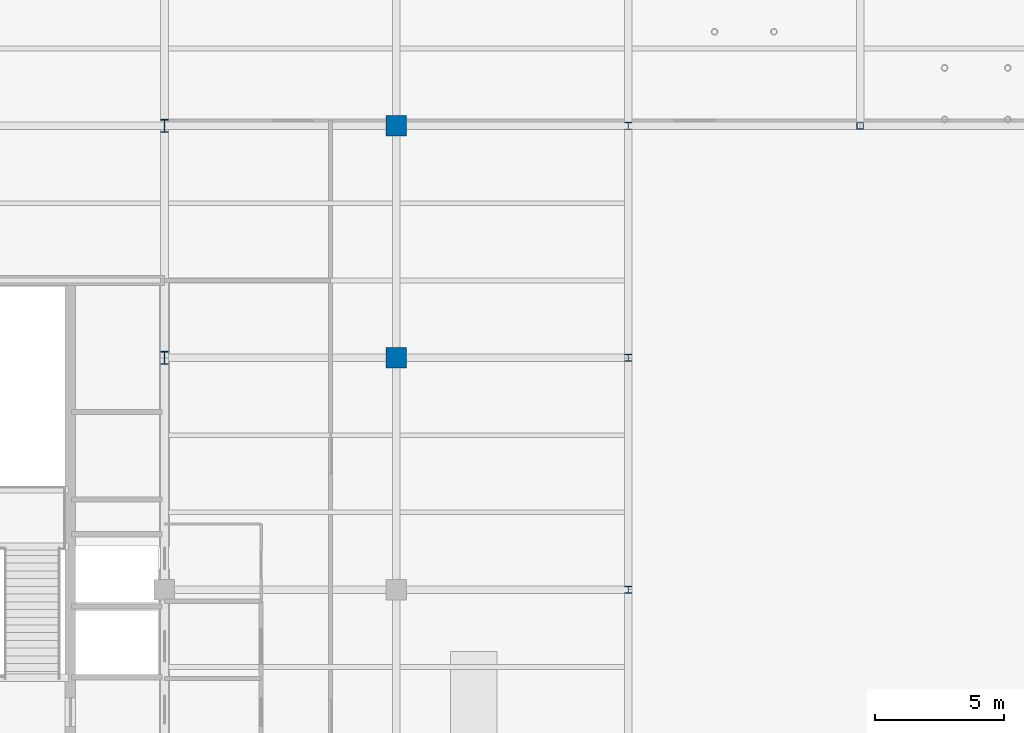
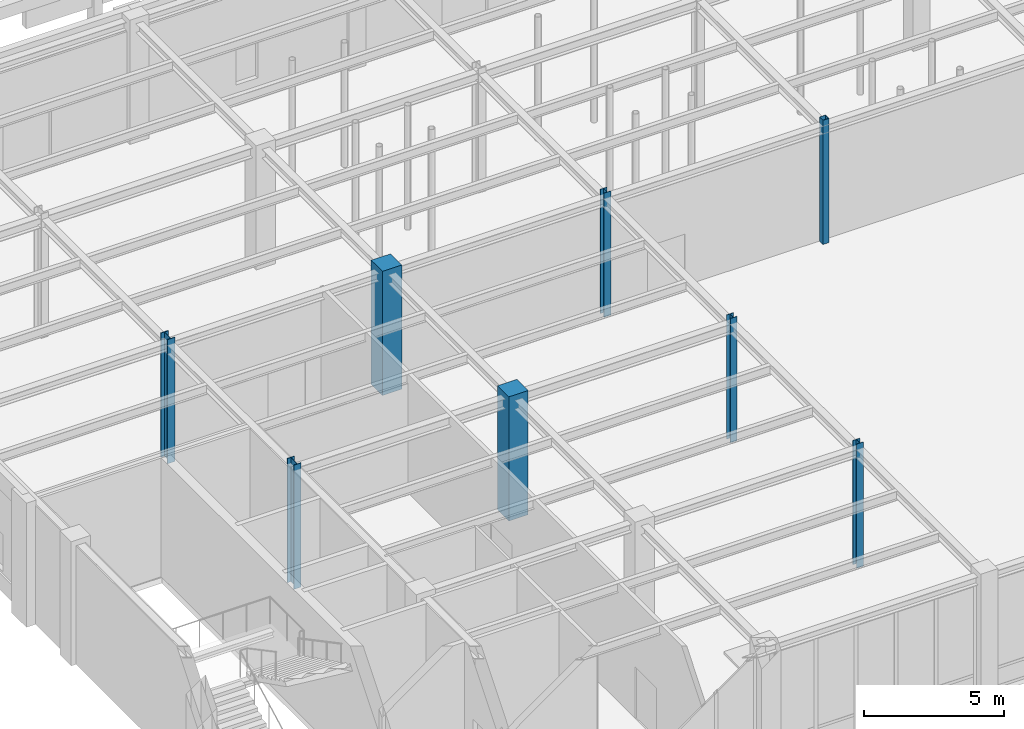
# One storey, part 7 of 77: 8 columns.
"""IFC4 building model written with IfcOpenShell, lengths in metres."""

from ifc_helpers import new_model, si_unit, direction, frame, origin, origin_2d, place, context, subcontext, project, spatial, rectangle, hollow_rectangle, i_section, extrude, material, material_profile, profile_set, type_object, element, save


model = new_model("IFC4")

# Units and contexts
model_context = context("Model", 3, precision=1e-05, world=origin(), true_north=direction((0.0, 1.0)))
body_context = subcontext(model_context, "Body", "Model", "MODEL_VIEW")
ifc_project = project(units=[si_unit("LENGTHUNIT", "METRE"), si_unit("AREAUNIT", "SQUARE_METRE"), si_unit("VOLUMEUNIT", "CUBIC_METRE"), si_unit("PLANEANGLEUNIT", "RADIAN"), si_unit("MASSUNIT", "GRAM", prefix="KILO")], contexts=[model_context])

# Site, building, storey
site_placement = place(None, origin())
site = spatial("IfcSite", under=ifc_project, at=site_placement, CompositionType="ELEMENT")
building_placement = place(site_placement, origin())
building = spatial("IfcBuilding", under=site, at=building_placement, Name="Lykobir Media Centre", CompositionType="ELEMENT")
storey_placement = place(building_placement, origin())
storey = spatial("IfcBuildingStorey", under=building, at=storey_placement, Name="L00", CompositionType="ELEMENT", Elevation=0.0)

# Columns
ifc_material_1 = material(Name="Concrete C40/50", Category="concrete")
ifc_material_profile_1 = material_profile(ifc_material_1, rectangle(XDim=0.800048828125, YDim=0.800048828125, at=origin_2d()), Name="RC 800x800")
ifc_profile_set_1 = profile_set([ifc_material_profile_1], Name="Concrete C40/50")
column_type_1 = type_object("IfcColumnType", Name="RC-C800", PredefinedType="COLUMN", material=ifc_profile_set_1)
for number, where, z_axis, x_axis, name in (
    (1, (45.0, 81.0, 0.0), (0.0, 0.0, 1.0), (1.0, 0.0, 0.0), "Column COL-L00-0450-0810"),
    (2, (45.0, 90.0, 0.0), (0.0, 0.0, 1.0), (1.0, 0.0, 0.0), "Column COL-L00-0450-0900"),
):
    element("IfcColumn", number, at=place(storey_placement, frame(where, z_axis=z_axis, x_axis=x_axis)), inside=storey, type_object=column_type_1, Name=name, PredefinedType="COLUMN", context=body_context, shape_type="SweptSolid", body=[
        extrude(rectangle(XDim=0.800048828125, YDim=0.800048828125, at=origin_2d()), origin(), (0.0, 0.0, 1.0), 5.39990234375),
    ])
ifc_material_2 = material(Name="Steel S355", Category="steel")
ifc_material_profile_2 = material_profile(ifc_material_2, i_section(OverallWidth=0.280029296875, OverallDepth=0.280029296875, WebThickness=0.010498046875, FlangeThickness=0.01806640625, at=origin_2d()), Name="HEB 280")
ifc_profile_set_2 = profile_set([ifc_material_profile_2], Name="Steel S355")
column_type_2 = type_object("IfcColumnType", Name="SC-HEB280", PredefinedType="COLUMN", material=ifc_profile_set_2)
for number, where, z_axis, x_axis, name in (
    (3, (54.0, 72.0, 0.0), (0.0, 0.0, 1.0), (1.0, 0.0, 0.0), "Column COL-L00-0540-0720"),
    (4, (54.0, 81.0, 0.0), (0.0, 0.0, 1.0), (1.0, 0.0, 0.0), "Column COL-L00-0540-0810"),
    (5, (54.0, 90.0, 0.0), (0.0, 0.0, 1.0), (1.0, 0.0, 0.0), "Column COL-L00-0540-0900"),
):
    element("IfcColumn", number, at=place(storey_placement, frame(where, z_axis=z_axis, x_axis=x_axis)), inside=storey, type_object=column_type_2, Name=name, PredefinedType="COLUMN", context=body_context, shape_type="SweptSolid", body=[
        extrude(i_section(OverallWidth=0.280029296875, OverallDepth=0.280029296875, WebThickness=0.010498046875, FlangeThickness=0.01806640625, at=origin_2d()), origin(), (0.0, 0.0, 1.0), 5.39990234375),
    ])
ifc_material_profile_3 = material_profile(ifc_material_2, i_section(OverallWidth=0.300048828125, OverallDepth=0.5, WebThickness=0.014404296875, FlangeThickness=0.028076171875, at=origin_2d()), Name="HEB 500")
ifc_profile_set_3 = profile_set([ifc_material_profile_3], Name="Steel S355")
column_type_3 = type_object("IfcColumnType", Name="SC-HEB500", PredefinedType="COLUMN", material=ifc_profile_set_3)
for number, where, z_axis, x_axis, name in (
    (6, (36.0, 81.0, 0.0), (0.0, 0.0, 1.0), (1.0, 0.0, 0.0), "Column COL-L00-0360-0810"),
    (7, (36.0, 90.0, 0.0), (0.0, 0.0, 1.0), (1.0, 0.0, 0.0), "Column COL-L00-0360-0900"),
):
    element("IfcColumn", number, at=place(storey_placement, frame(where, z_axis=z_axis, x_axis=x_axis)), inside=storey, type_object=column_type_3, Name=name, PredefinedType="COLUMN", context=body_context, shape_type="SweptSolid", body=[
        extrude(i_section(OverallWidth=0.300048828125, OverallDepth=0.5, WebThickness=0.014404296875, FlangeThickness=0.028076171875, at=origin_2d()), origin(), (0.0, 0.0, 1.0), 5.39990234375),
    ])
ifc_material_profile_4 = material_profile(ifc_material_2, hollow_rectangle(XDim=0.25, YDim=0.25, WallThickness=0.012451171875, at=origin_2d()), Name="SHS 250x250x12.5")
ifc_profile_set_4 = profile_set([ifc_material_profile_4], Name="Steel S355")
column_type_4 = type_object("IfcColumnType", Name="SC-SHS250", PredefinedType="COLUMN", material=ifc_profile_set_4)
column_placement = place(storey_placement, frame((63.0, 90.0, 0.0), z_axis=(0.0, 0.0, 1.0), x_axis=(1.0, 0.0, 0.0)))
element("IfcColumn", 8, at=column_placement, inside=storey, type_object=column_type_4, Name="Column COL-L00-0630-0900", PredefinedType="COLUMN", context=body_context, shape_type="SweptSolid", body=[
    extrude(hollow_rectangle(XDim=0.25, YDim=0.25, WallThickness=0.012451171875, at=origin_2d()), origin(), (0.0, 0.0, 1.0), 5.39990234375),
])

save(model, "model.ifc")
